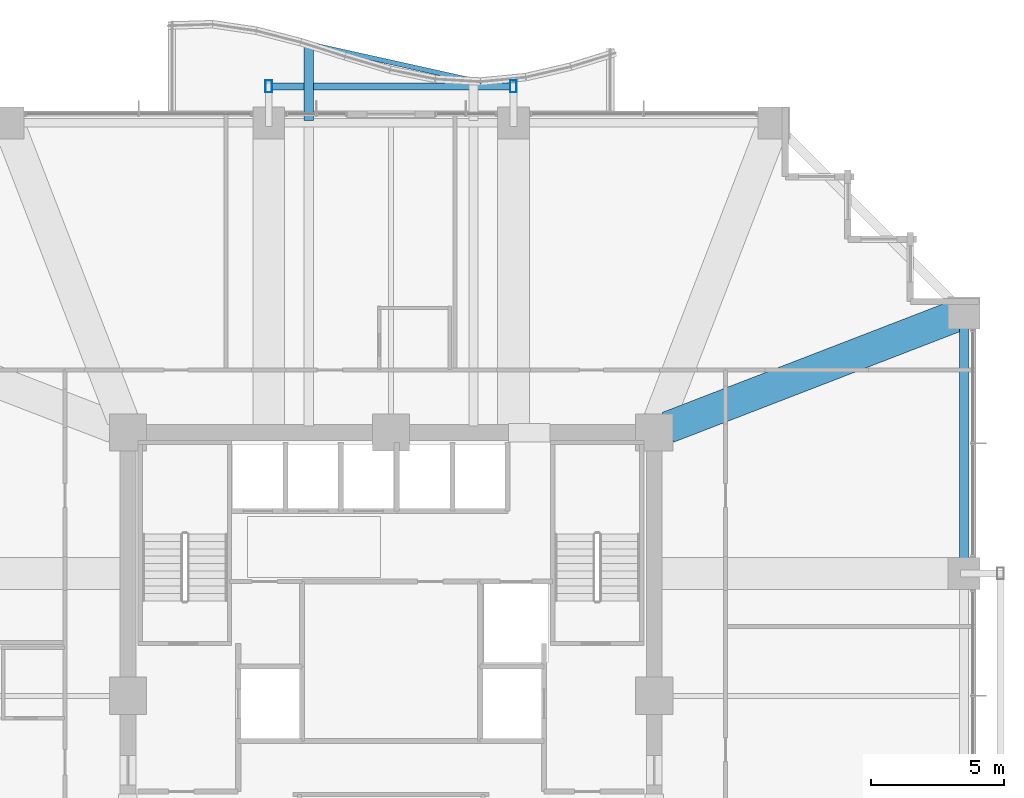
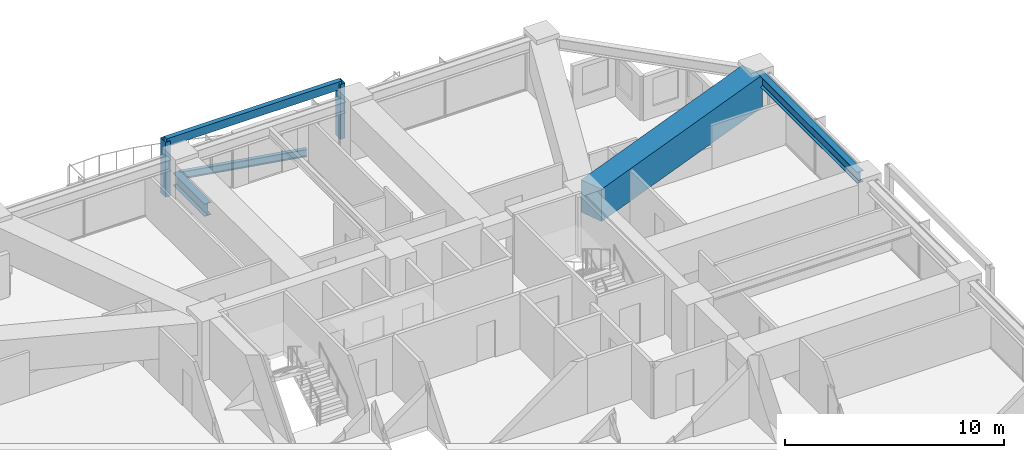
# One storey, part 22 of 37: 4 beams, 3 members.
"""IFC4 building model written with IfcOpenShell, lengths in metres."""

from ifc_helpers import new_model, si_unit, direction, frame, origin, origin_2d, place, context, subcontext, project, spatial, rectangle, hollow_rectangle, i_section, extrude, material, material_profile, profile_set, type_object, element, save


model = new_model("IFC4")

# Units and contexts
model_context = context("Model", 3, precision=1e-05, world=origin(), true_north=direction((0.0, 1.0)))
body_context = subcontext(model_context, "Body", "Model", "MODEL_VIEW")
ifc_project = project(units=[si_unit("LENGTHUNIT", "METRE"), si_unit("AREAUNIT", "SQUARE_METRE"), si_unit("VOLUMEUNIT", "CUBIC_METRE"), si_unit("PLANEANGLEUNIT", "RADIAN"), si_unit("MASSUNIT", "GRAM", prefix="KILO")], contexts=[model_context])

# Site, building, storey
site_placement = place(None, origin())
site = spatial("IfcSite", under=ifc_project, at=site_placement, CompositionType="ELEMENT")
building_placement = place(site_placement, origin())
building = spatial("IfcBuilding", under=site, at=building_placement, Name="Kolvaren Belvedere", CompositionType="ELEMENT")
storey_placement = place(building_placement, frame((0.0, 0.0, 56.800048828125)))
storey = spatial("IfcBuildingStorey", under=building, at=storey_placement, Name="L16", CompositionType="ELEMENT", Elevation=56.800048828125)

# Beams
ifc_material_1 = material(Name="Structural steel ASTM A992 Grade 50", Category="steel")
ifc_material_profile_1 = material_profile(ifc_material_1, i_section(OverallWidth=0.35498046875, OverallDepth=0.696044921875, WebThickness=0.015380859375, FlangeThickness=0.02490234375, FilletRadius=0.02197265625, at=origin_2d()), Name="W27X146")
ifc_profile_set_1 = profile_set([ifc_material_profile_1], Name="Structural steel ASTM A992 Grade 50")
beam_type_1 = type_object("IfcBeamType", Name="BM-CANT-BAL", PredefinedType="BEAM", material=ifc_profile_set_1)
beam_1_placement = place(storey_placement, frame((-3.10009765625, 21.64501953125, -0.588134765625), z_axis=(0.0, 1.0, 0.0), x_axis=(-1.0, 0.0, 0.0)))
element("IfcBeam", 1, at=beam_1_placement, inside=storey, type_object=beam_type_1, Name="L16 Planted Balcony Cantilever BAL-N-1", PredefinedType="BEAM", context=body_context, shape_type="SweptSolid", body=[
    extrude(i_section(OverallWidth=0.35498046875, OverallDepth=0.696044921875, WebThickness=0.015380859375, FlangeThickness=0.02490234375, FilletRadius=0.02197265625, at=origin_2d()), origin(), (0.0, 0.0, 1.0), 2.8701171875),
])
ifc_material_2 = material(Name="Structural steel ASTM A992 Grade 50", Category="steel")
ifc_material_profile_2 = material_profile(ifc_material_2, i_section(OverallWidth=0.180908203125, OverallDepth=0.4169921875, WebThickness=0.010986328125, FlangeThickness=0.018310546875, FilletRadius=0.013916015625, at=origin_2d()), Name="W16X57")
ifc_profile_set_2 = profile_set([ifc_material_profile_2], Name="Structural steel ASTM A992 Grade 50")
beam_type_2 = type_object("IfcBeamType", Name="BM-EDGE-W16X57", PredefinedType="BEAM", material=ifc_profile_set_2)
beam_2_placement = place(storey_placement, frame((-2.96337890625, 24.484619140625, -0.448486328125), z_axis=(0.976209763329, -0.216828268408, 0.0), x_axis=(0.216828268408, 0.976209763329, 0.0)))
element("IfcBeam", 2, at=beam_2_placement, inside=storey, type_object=beam_type_2, Name="L16 Balcony Tip Header Beam BAL-N", PredefinedType="BEAM", context=body_context, shape_type="SweptSolid", body=[
    extrude(i_section(OverallWidth=0.180908203125, OverallDepth=0.4169921875, WebThickness=0.010986328125, FlangeThickness=0.018310546875, FilletRadius=0.013916015625, at=origin_2d()), origin(), (0.0, 0.0, 1.0), 6.0712890625),
])
ifc_material_3 = material(Name="Structural steel ASTM A992 Grade 50", Category="steel")
ifc_material_profile_3 = material_profile(ifc_material_3, i_section(OverallWidth=0.324951171875, OverallDepth=0.615966796875, WebThickness=0.013916015625, FlangeThickness=0.021484375, FilletRadius=0.02001953125, at=origin_2d()), Name="W24X117")
ifc_profile_set_3 = profile_set([ifc_material_profile_3], Name="Structural steel ASTM A992 Grade 50")
beam_type_3 = type_object("IfcBeamType", Name="BM-SPAN-W24X117", PredefinedType="SPANDREL", material=ifc_profile_set_3)
beam_3_placement = place(storey_placement, frame((21.550048828125, 4.8701171875, 2.751953125), z_axis=(0.0, 1.0, 0.0), x_axis=(-1.0, 0.0, 0.0)))
element("IfcBeam", 3, at=beam_3_placement, inside=storey, type_object=beam_type_3, Name="L16 Perimeter Spandrel E3-E4", PredefinedType="SPANDREL", context=body_context, shape_type="SweptSolid", body=[
    extrude(i_section(OverallWidth=0.324951171875, OverallDepth=0.615966796875, WebThickness=0.013916015625, FlangeThickness=0.021484375, FilletRadius=0.02001953125, at=origin_2d()), origin(), (0.0, 0.0, 1.0), 9.259765625),
])
ifc_material_4 = material(Name="Concrete C50/60", Category="concrete")
ifc_material_profile_4 = material_profile(ifc_material_4, rectangle(XDim=1.199951171875, YDim=1.800048828125, at=origin_2d()), Name="RC 1200X1800")
ifc_profile_set_4 = profile_set([ifc_material_profile_4], Name="Concrete C50/60")
beam_type_4 = type_object("IfcBeamType", Name="BM-TG-1800", PredefinedType="BEAM", material=ifc_profile_set_4)
beam_4_placement = place(storey_placement, frame((10.4130859375, 10.09814453125, 2.159912109375), z_axis=(0.932829382313, 0.360318391835, 0.0), x_axis=(-0.360318391835, 0.932829382313, 0.0)))
element("IfcBeam", 4, at=beam_4_placement, inside=storey, type_object=beam_type_4, Name="L16 Corner Core-to-Perimeter Girder CC3-E4", PredefinedType="BEAM", context=body_context, shape_type="SweptSolid", body=[
    extrude(rectangle(XDim=1.199951171875, YDim=1.800048828125, at=origin_2d()), origin(), (0.0, 0.0, 1.0), 11.698974609375),
])

# Members
ifc_material_5 = material(Name="Anodised pale-metal aluminium AA 6063-T6", Category="aluminium")
ifc_material_profile_5 = material_profile(ifc_material_5, hollow_rectangle(XDim=0.25, YDim=0.449951171875, WallThickness=0.008544921875, at=origin_2d()), Name="ALU-PF-450X250")
ifc_profile_set_5 = profile_set([ifc_material_profile_5], Name="Anodised pale-metal aluminium AA 6063-T6")
member_type = type_object("IfcMemberType", Name="PF-FRAME-450", PredefinedType="USERDEFINED", material=ifc_profile_set_5)
for number, where, z_axis, x_axis, name in (
    (5, (-4.60009765625, 22.919921875, 0.0), (0.0, 0.0, 1.0), (1.0, 0.0, 0.0), "L16 Outboard Picture-Frame Vertical N1"),
    (6, (4.60009765625, 22.919921875, 0.0), (0.0, 0.0, 1.0), (1.0, 0.0, 0.0), "L16 Outboard Picture-Frame Vertical N2"),
):
    element("IfcMember", number, at=place(storey_placement, frame(where, z_axis=z_axis, x_axis=x_axis)), inside=storey, type_object=member_type, Name=name, ObjectType="PICTURE FRAME FIN", PredefinedType="USERDEFINED", context=body_context, shape_type="SweptSolid", body=[
        extrude(hollow_rectangle(XDim=0.25, YDim=0.449951171875, WallThickness=0.008544921875, at=origin_2d()), origin(), (0.0, 0.0, 1.0), 3.06005859375),
    ])
member_placement = place(storey_placement, frame((-4.60009765625, 22.919921875, 2.929931640625), z_axis=(1.0, 0.0, 0.0), x_axis=(0.0, 1.0, 0.0)))
element("IfcMember", 7, at=member_placement, inside=storey, type_object=member_type, Name="L16 Outboard Picture-Frame Head N", ObjectType="PICTURE FRAME FIN", PredefinedType="USERDEFINED", context=body_context, shape_type="SweptSolid", body=[
    extrude(hollow_rectangle(XDim=0.25, YDim=0.449951171875, WallThickness=0.008544921875, at=origin_2d()), origin(), (0.0, 0.0, 1.0), 9.2001953125),
])

save(model, "model.ifc")
